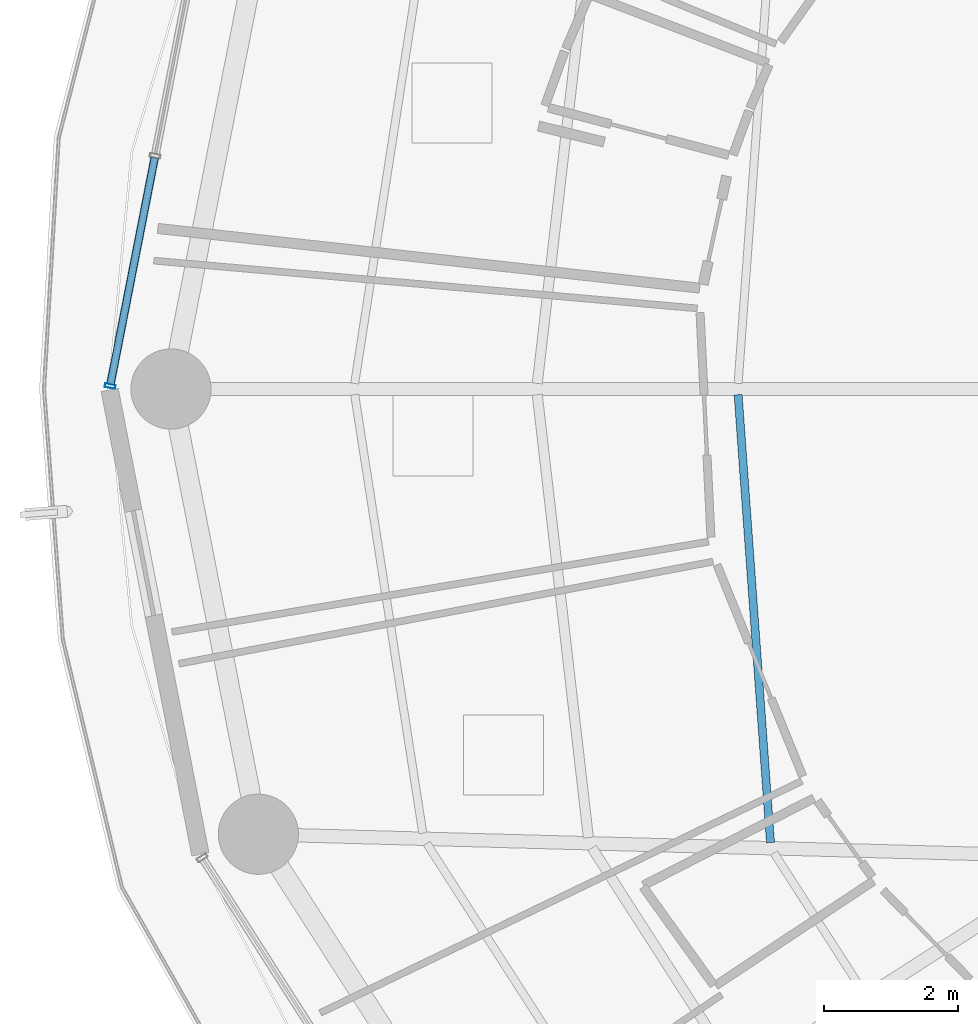
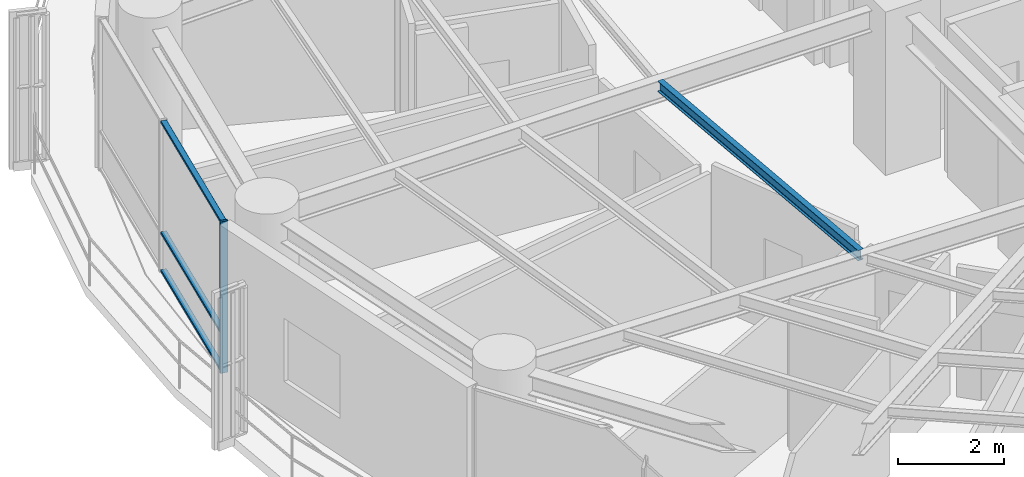
# One storey, part 6 of 27: 4 members, 1 beam, 1 element without a shape of its own.
"""IFC4 building model written with IfcOpenShell, lengths in metres."""

import ifcopenshell
import ifcopenshell.guid

model = None  # the IFC model being written
_history = None  # IfcOwnerHistory: only IFC2X3 demands one
_inside = {}  # id of a spatial element -> (the spatial element, [elements in it])
_under = {}  # id of a project, library or spatial element -> (it, [spatial elements below it])
_declared = {}  # id of a project -> (the project, [libraries it declares])
_typed = {}  # id of a type object -> (the type object, [elements of that type])
_made_of = {}  # id of a material, layer set ... -> (it, [elements and type objects made of it])


def new_model(schema):
    """Start an empty IFC model of exactly this schema.

    Asked for "IFC4X3", IfcOpenShell would pick the latest addendum, in which some entities
    have other attributes; the version numbers below select the first issue.
    IFC2X3 requires an IfcOwnerHistory on every rooted entity: one is made here for all.
    """
    global model, _history
    if schema == "IFC4X3":
        model = ifcopenshell.file(schema_version=(4, 3, 0, 0))
    else:
        model = ifcopenshell.file(schema=schema)
    _inside.clear()
    _under.clear()
    _declared.clear()
    _typed.clear()
    _made_of.clear()
    _history = None
    if model.schema == "IFC2X3":
        org = make("IfcOrganization", Name="unknown")
        user = make(
            "IfcPersonAndOrganization",
            ThePerson=make("IfcPerson", FamilyName="unknown"),
            TheOrganization=org,
        )
        app = make(
            "IfcApplication",
            ApplicationDeveloper=org,
            Version="unknown",
            ApplicationFullName="unknown",
            ApplicationIdentifier="unknown",
        )
        _history = make(
            "IfcOwnerHistory",
            OwningUser=user,
            OwningApplication=app,
            ChangeAction="ADDED",
            CreationDate=0,
        )
    return model


def make(cls, **values):
    """One entity of the class cls with the attributes given. An attribute that is None is left unset."""
    return model.create_entity(
        cls, **{name: value for name, value in values.items() if value is not None}
    )


def rooted(cls, **values):
    """An entity with a GlobalId (a new one), such as an element, a storey or a relation."""
    return make(cls, GlobalId=ifcopenshell.guid.new(), OwnerHistory=_history, **values)


def si_unit(unit_type, name, prefix=None):
    """IfcSIUnit, for example si_unit("LENGTHUNIT", "METRE", prefix="MILLI")."""
    return make("IfcSIUnit", UnitType=unit_type, Prefix=prefix, Name=name)


def assignment(units):
    """IfcUnitAssignment: the units of a project."""
    return None if units is None else make("IfcUnitAssignment", Units=units)


def point(xyz):
    """IfcCartesianPoint."""
    return None if xyz is None else make("IfcCartesianPoint", Coordinates=xyz)


def direction(xyz):
    """IfcDirection."""
    return None if xyz is None else make("IfcDirection", DirectionRatios=xyz)


def frame(location, z_axis=None, x_axis=None):
    """IfcAxis2Placement3D, a coordinate frame: its origin and axes. An axis left out is left unset."""
    return make(
        "IfcAxis2Placement3D",
        Location=point(location),
        Axis=direction(z_axis),
        RefDirection=direction(x_axis),
    )


def frame_2d(location, x_axis=None):
    """IfcAxis2Placement2D, a coordinate frame in the plane: its origin and x axis."""
    return make(
        "IfcAxis2Placement2D", Location=point(location), RefDirection=direction(x_axis)
    )


def origin():
    """The frame at (0, 0, 0) with its axes left unset."""
    return frame((0.0, 0.0, 0.0))


def origin_2d():
    """The frame at (0, 0) in the plane with its x axis left unset."""
    return frame_2d((0.0, 0.0))


def place(relative_to, where):
    """IfcLocalPlacement: puts the frame where relative to a parent placement (None: the world)."""
    return make(
        "IfcLocalPlacement", PlacementRelTo=relative_to, RelativePlacement=where
    )


def context(
    kind, dimensions, precision=None, world=None, true_north=None, identifier=None
):
    """IfcGeometricRepresentationContext, for example the 3D "Model" context."""
    return make(
        "IfcGeometricRepresentationContext",
        ContextIdentifier=identifier,
        ContextType=kind,
        CoordinateSpaceDimension=dimensions,
        Precision=precision,
        WorldCoordinateSystem=world,
        TrueNorth=true_north,
    )


def subcontext(parent, identifier, kind, view, scale=None):
    """IfcGeometricRepresentationSubContext, for example "Body" below "Model"."""
    return make(
        "IfcGeometricRepresentationSubContext",
        ContextIdentifier=identifier,
        ContextType=kind,
        ParentContext=parent,
        TargetScale=scale,
        TargetView=view,
    )


def project(units=None, contexts=None):
    """IfcProject with its units and contexts."""
    return rooted(
        "IfcProject",
        Name="project",
        RepresentationContexts=contexts,
        UnitsInContext=assignment(units),
    )


def spatial(cls, under=None, at=None, **own):
    """A site, building, storey or space (cls), placed at a placement, below another one or the project."""
    s = rooted(cls, ObjectPlacement=at, **own)
    if under is not None:
        _under.setdefault(under.id(), (under, []))[1].append(s)
    return s


def profile(cls, at=None, kind="AREA", **sizes):
    """A parametric profile (cls). Its sizes go by their IFC names, for example OverallWidth=200.0."""
    return make(cls, ProfileType=kind, Position=at, **sizes)


def hollow_rectangle(**sizes):
    """IfcRectangleHollowProfileDef."""
    return profile("IfcRectangleHollowProfileDef", **sizes)


def i_section(**sizes):
    """IfcIShapeProfileDef."""
    return profile("IfcIShapeProfileDef", **sizes)


def extrude(swept, where, along, depth):
    """IfcExtrudedAreaSolid: the profile swept, set in the frame where, extruded along a direction by depth."""
    return make(
        "IfcExtrudedAreaSolid",
        SweptArea=swept,
        Position=where,
        ExtrudedDirection=direction(along),
        Depth=depth,
    )


def shape(context_of_items, identifier, shape_type, items):
    """IfcShapeRepresentation: the items that make up one representation, for example the "Body"."""
    return make(
        "IfcShapeRepresentation",
        ContextOfItems=context_of_items,
        RepresentationIdentifier=identifier,
        RepresentationType=shape_type,
        Items=items,
    )


def material(Name=None, Category=None):
    """IfcMaterial."""
    return make("IfcMaterial", Name=Name, Category=Category)


def layer(
    of_material, thickness, ventilated=None, Name=None, Category=None, Priority=None
):
    """IfcMaterialLayer: one layer of a wall or slab, of a material (None: an air gap)."""
    return make(
        "IfcMaterialLayer",
        Material=of_material,
        LayerThickness=thickness,
        IsVentilated=ventilated,
        Name=Name,
        Category=Category,
        Priority=Priority,
    )


def layer_set(layers, Name=None):
    """IfcMaterialLayerSet."""
    return make("IfcMaterialLayerSet", MaterialLayers=layers, LayerSetName=Name)


def material_profile(
    of_material, cross_section, Name=None, Category=None, Priority=None
):
    """IfcMaterialProfile: a cross section and its material."""
    return make(
        "IfcMaterialProfile",
        Name=Name,
        Material=of_material,
        Profile=cross_section,
        Priority=Priority,
        Category=Category,
    )


def profile_set(profiles, Name=None, composite=None):
    """IfcMaterialProfileSet."""
    return make(
        "IfcMaterialProfileSet",
        Name=Name,
        MaterialProfiles=profiles,
        CompositeProfile=composite,
    )


def made_of(thing, what):
    """Note that an element or type object is made of a material, layer set ...; save() writes the relation."""
    if what is not None:
        _made_of.setdefault(what.id(), (what, []))[1].append(thing)
    return thing


def type_object(cls, material=None, **own):
    """A type object (cls), such as IfcWallType, which elements share."""
    return made_of(rooted(cls, **own), material)


def element(
    cls,
    number,
    at=None,
    inside=None,
    cuts=None,
    type_object=None,
    material=None,
    context=None,
    identifier="Body",
    shape_type=None,
    held_by="IfcProductDefinitionShape",
    body=None,
    shapes=None,
    **own,
):
    """One element of the class cls, such as IfcWall. Its Tag is "e" and its number.

    at: its placement. inside: the storey or other place that contains it. cuts: it is an
    opening in that element (IfcRelVoidsElement). A single representation is given by context,
    identifier, shape_type and body (its items); several are given by shapes. held_by: the class
    of the entity that holds the representations. save() writes the other relations.
    """
    e = rooted(cls, Tag="e%d" % number, ObjectPlacement=at, **own)
    if body is not None:
        shapes = [shape(context, identifier, shape_type, body)]
    if shapes is not None:
        e.Representation = make(held_by, Representations=shapes)
    if inside is not None:
        _inside.setdefault(inside.id(), (inside, []))[1].append(e)
    if cuts is not None:
        rooted(
            "IfcRelVoidsElement", RelatingBuildingElement=cuts, RelatedOpeningElement=e
        )
    if type_object is not None:
        _typed.setdefault(type_object.id(), (type_object, []))[1].append(e)
    return made_of(e, material)


def aggregate(whole, parts):
    """IfcRelAggregates: a whole, such as a stair, and the parts it consists of."""
    return rooted("IfcRelAggregates", RelatingObject=whole, RelatedObjects=parts)


def save(model, path):
    """Write the relations noted so far, then the file.

    IfcRelAggregates (storeys below a building ...), IfcRelContainedInSpatialStructure (elements
    in a storey), IfcRelDefinesByType, IfcRelAssociatesMaterial and IfcRelDeclares: one each for
    every whole, place, type object, material and project.
    """
    for whole, parts in _under.values():
        aggregate(whole, parts)
    for where, things in _inside.values():
        rooted(
            "IfcRelContainedInSpatialStructure",
            RelatedElements=things,
            RelatingStructure=where,
        )
    for kind, things in _typed.values():
        rooted("IfcRelDefinesByType", RelatedObjects=things, RelatingType=kind)
    for what, things in _made_of.values():
        rooted("IfcRelAssociatesMaterial", RelatedObjects=things, RelatingMaterial=what)
    for by, libraries in _declared.values():
        rooted("IfcRelDeclares", RelatingContext=by, RelatedDefinitions=libraries)
    model.write(path)


model = new_model("IFC4")

# Units and contexts
model_context = context("Model", 3, precision=1e-05, world=origin(), true_north=direction((0.0, 1.0)))
body_context = subcontext(model_context, "Body", "Model", "MODEL_VIEW")
ifc_project = project(units=[si_unit("LENGTHUNIT", "METRE"), si_unit("AREAUNIT", "SQUARE_METRE"), si_unit("VOLUMEUNIT", "CUBIC_METRE"), si_unit("PLANEANGLEUNIT", "RADIAN"), si_unit("MASSUNIT", "GRAM", prefix="KILO")], contexts=[model_context])

# Site, building, storey
site_placement = place(None, origin())
site = spatial("IfcSite", under=ifc_project, at=site_placement, CompositionType="ELEMENT")
building_placement = place(site_placement, origin())
building = spatial("IfcBuilding", under=site, at=building_placement, Name="Kelanora Arch Commons", CompositionType="ELEMENT")
storey_placement = place(building_placement, frame((0.0, 0.0, 165.60009765625)))
storey = spatial("IfcBuildingStorey", under=building, at=storey_placement, Name="L42", CompositionType="ELEMENT", Elevation=165.60009765625)

# Beam
ifc_material_1 = material(Name="Steel S355", Category="steel")
ifc_material_profile_1 = material_profile(ifc_material_1, i_section(OverallWidth=0.1201171875, OverallDepth=0.239990234375, WebThickness=0.006103515625, FlangeThickness=0.009765625, FilletRadius=0.014892578125, at=origin_2d()), Name="IPE240")
ifc_profile_set_1 = profile_set([ifc_material_profile_1], Name="Steel S355")
beam_type = type_object("IfcBeamType", Name="BM-JST-02", PredefinedType="JOIST", material=ifc_profile_set_1)
beam_placement = place(storey_placement, frame((60.8076171875, 57.915283203125, 3.369873046875), z_axis=(0.072117123738, -0.997396170267, 0.0), x_axis=(0.997396170267, 0.072117123738, 0.0)))
element("IfcBeam", 1, at=beam_placement, inside=storey, type_object=beam_type, Name="Secondary Chord Joist BJA-18 L42", PredefinedType="JOIST", context=body_context, shape_type="SweptSolid", body=[
    extrude(i_section(OverallWidth=0.1201171875, OverallDepth=0.239990234375, WebThickness=0.006103515625, FlangeThickness=0.009765625, FilletRadius=0.014892578125, at=origin_2d()), origin(), (0.0, 0.0, 1.0), 6.719970703125),
])

# Curtain wall, members
ifc_material_2 = material(Name="Terracotta ceramic-fritted low-E glass and aluminium", Category="masonry")
ifc_layer = layer(ifc_material_2, 0.175048828125)
ifc_layer_set = layer_set([ifc_layer], Name="Terracotta ceramic-fritted low-E glass and aluminium")
curtain_wall_type = type_object("IfcCurtainWallType", Name="CW-SYS-02", PredefinedType="NOTDEFINED", material=ifc_layer_set)
curtain_wall_placement = place(storey_placement, origin())
curtain_wall = element("IfcCurtainWall", 2, at=curtain_wall_placement, inside=storey, type_object=curtain_wall_type, Name="Unitised Curtain Wall L42-B08", PredefinedType="NOTDEFINED")
ifc_material_3 = material(Name="Powder-coated aluminium terracotta", Category="masonry")
ifc_material_profile_2 = material_profile(ifc_material_3, hollow_rectangle(XDim=0.159912109375, YDim=0.06005859375, WallThickness=0.0048828125, InnerFilletRadius=0.0048828125, OuterFilletRadius=0.010009765625, at=origin_2d()), Name="CWM160x60")
ifc_profile_set_2 = profile_set([ifc_material_profile_2], Name="Powder-coated aluminium terracotta")
member_type_1 = type_object("IfcMemberType", Name="CWM-STD", PredefinedType="MULLION", material=ifc_profile_set_2)
member_1_placement = place(storey_placement, frame((51.40869140625, 58.044189453125, 0.0), z_axis=(0.0, 0.0, 1.0), x_axis=(0.981452557718, -0.191705182375, 0.0)))
member_1 = element("IfcMember", 3, at=member_1_placement, type_object=member_type_1, Name="CW-02 mullion 3", PredefinedType="MULLION", context=body_context, shape_type="SweptSolid", body=[
    extrude(hollow_rectangle(XDim=0.159912109375, YDim=0.06005859375, WallThickness=0.0048828125, InnerFilletRadius=0.0048828125, OuterFilletRadius=0.010009765625, at=origin_2d()), origin(), (0.0, 0.0, 1.0), 3.474853515625),
])
ifc_material_profile_3 = material_profile(ifc_material_3, hollow_rectangle(XDim=0.1201171875, YDim=0.06005859375, WallThickness=0.0048828125, InnerFilletRadius=0.0048828125, OuterFilletRadius=0.010009765625, at=origin_2d()), Name="CWT120x60")
ifc_profile_set_3 = profile_set([ifc_material_profile_3], Name="Powder-coated aluminium terracotta")
member_type_2 = type_object("IfcMemberType", Name="CWT-STD", PredefinedType="USERDEFINED", material=ifc_profile_set_3)
member_2_placement = place(storey_placement, frame((52.07568359375, 61.459228515625, 0.02978515625), z_axis=(-0.191718206447, -0.981450013662, 0.0), x_axis=(0.981450013662, -0.191718206447, 0.0)))
member_2 = element("IfcMember", 4, at=member_2_placement, type_object=member_type_2, Name="CW-02 transom 2.1", ObjectType="TRANSOM", PredefinedType="USERDEFINED", context=body_context, shape_type="SweptSolid", body=[
    extrude(hollow_rectangle(XDim=0.1201171875, YDim=0.06005859375, WallThickness=0.0048828125, InnerFilletRadius=0.0048828125, OuterFilletRadius=0.010009765625, at=origin_2d()), origin(), (0.0, 0.0, 1.0), 3.44970703125),
])
member_3_placement = place(storey_placement, frame((52.07568359375, 61.459228515625, 0.89990234375), z_axis=(-0.191718206447, -0.981450013662, 0.0), x_axis=(0.981450013662, -0.191718206447, 0.0)))
member_3 = element("IfcMember", 5, at=member_3_placement, type_object=member_type_2, Name="CW-02 transom 2.2", ObjectType="TRANSOM", PredefinedType="USERDEFINED", context=body_context, shape_type="SweptSolid", body=[
    extrude(hollow_rectangle(XDim=0.1201171875, YDim=0.06005859375, WallThickness=0.0048828125, InnerFilletRadius=0.0048828125, OuterFilletRadius=0.010009765625, at=origin_2d()), origin(), (0.0, 0.0, 1.0), 3.44970703125),
])
member_4_placement = place(storey_placement, frame((52.07568359375, 61.459228515625, 3.44482421875), z_axis=(-0.191718206447, -0.981450013662, 0.0), x_axis=(0.981450013662, -0.191718206447, 0.0)))
member_4 = element("IfcMember", 6, at=member_4_placement, type_object=member_type_2, Name="CW-02 transom 2.3", ObjectType="TRANSOM", PredefinedType="USERDEFINED", context=body_context, shape_type="SweptSolid", body=[
    extrude(hollow_rectangle(XDim=0.1201171875, YDim=0.06005859375, WallThickness=0.0048828125, InnerFilletRadius=0.0048828125, OuterFilletRadius=0.010009765625, at=origin_2d()), origin(), (0.0, 0.0, 1.0), 3.44970703125),
])
aggregate(curtain_wall, [member_1, member_2, member_3, member_4])

save(model, "model.ifc")
